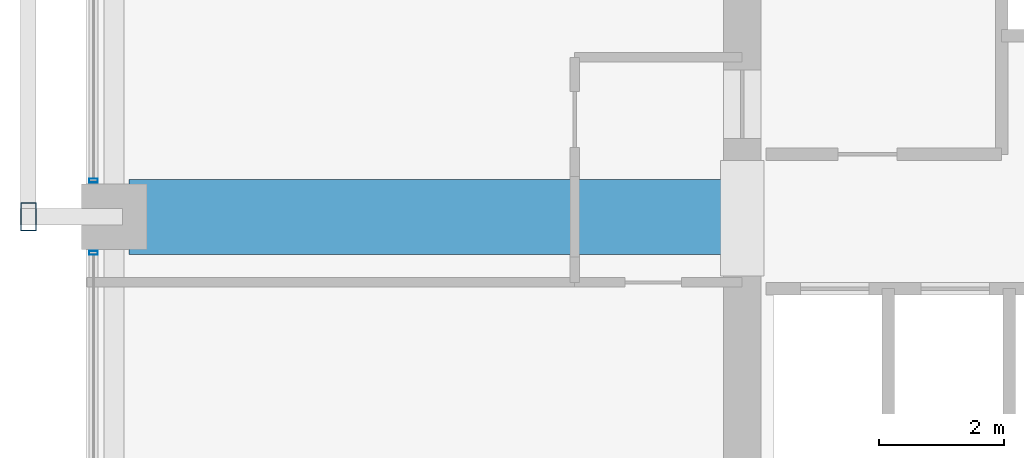
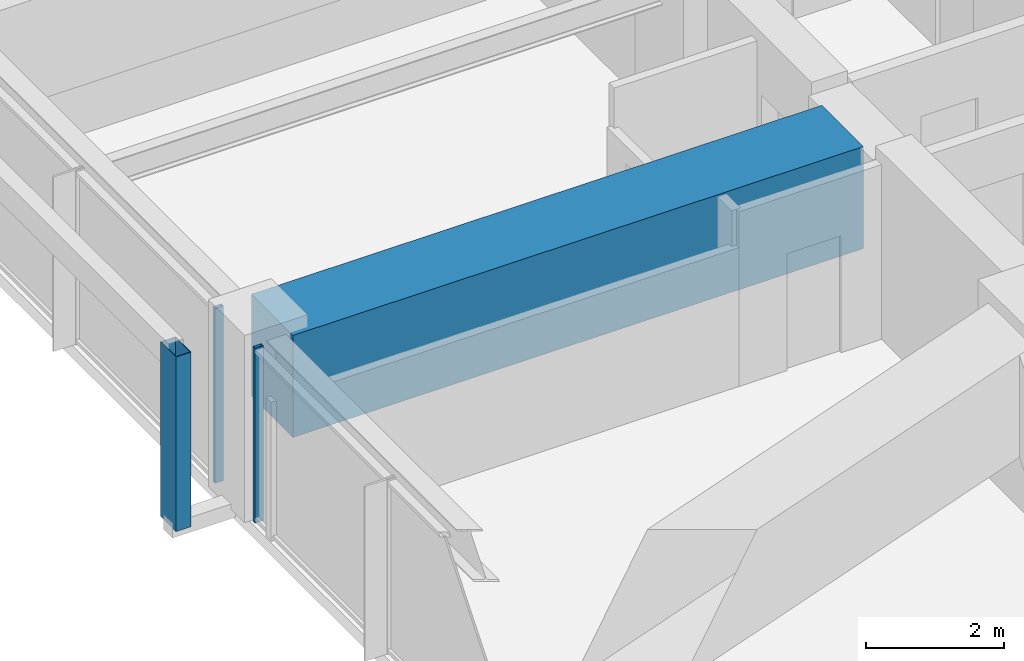
# One storey, part 8 of 39: 3 members, 1 beam, 2 elements without a shape of their own.
"""IFC4 building model written with IfcOpenShell, lengths in metres."""

import ifcopenshell
import ifcopenshell.guid

model = None  # the IFC model being written
_history = None  # IfcOwnerHistory: only IFC2X3 demands one
_inside = {}  # id of a spatial element -> (the spatial element, [elements in it])
_under = {}  # id of a project, library or spatial element -> (it, [spatial elements below it])
_declared = {}  # id of a project -> (the project, [libraries it declares])
_typed = {}  # id of a type object -> (the type object, [elements of that type])
_made_of = {}  # id of a material, layer set ... -> (it, [elements and type objects made of it])


def new_model(schema):
    """Start an empty IFC model of exactly this schema.

    Asked for "IFC4X3", IfcOpenShell would pick the latest addendum, in which some entities
    have other attributes; the version numbers below select the first issue.
    IFC2X3 requires an IfcOwnerHistory on every rooted entity: one is made here for all.
    """
    global model, _history
    if schema == "IFC4X3":
        model = ifcopenshell.file(schema_version=(4, 3, 0, 0))
    else:
        model = ifcopenshell.file(schema=schema)
    _inside.clear()
    _under.clear()
    _declared.clear()
    _typed.clear()
    _made_of.clear()
    _history = None
    if model.schema == "IFC2X3":
        org = make("IfcOrganization", Name="unknown")
        user = make(
            "IfcPersonAndOrganization",
            ThePerson=make("IfcPerson", FamilyName="unknown"),
            TheOrganization=org,
        )
        app = make(
            "IfcApplication",
            ApplicationDeveloper=org,
            Version="unknown",
            ApplicationFullName="unknown",
            ApplicationIdentifier="unknown",
        )
        _history = make(
            "IfcOwnerHistory",
            OwningUser=user,
            OwningApplication=app,
            ChangeAction="ADDED",
            CreationDate=0,
        )
    return model


def make(cls, **values):
    """One entity of the class cls with the attributes given. An attribute that is None is left unset."""
    return model.create_entity(
        cls, **{name: value for name, value in values.items() if value is not None}
    )


def rooted(cls, **values):
    """An entity with a GlobalId (a new one), such as an element, a storey or a relation."""
    return make(cls, GlobalId=ifcopenshell.guid.new(), OwnerHistory=_history, **values)


def si_unit(unit_type, name, prefix=None):
    """IfcSIUnit, for example si_unit("LENGTHUNIT", "METRE", prefix="MILLI")."""
    return make("IfcSIUnit", UnitType=unit_type, Prefix=prefix, Name=name)


def assignment(units):
    """IfcUnitAssignment: the units of a project."""
    return None if units is None else make("IfcUnitAssignment", Units=units)


def point(xyz):
    """IfcCartesianPoint."""
    return None if xyz is None else make("IfcCartesianPoint", Coordinates=xyz)


def direction(xyz):
    """IfcDirection."""
    return None if xyz is None else make("IfcDirection", DirectionRatios=xyz)


def frame(location, z_axis=None, x_axis=None):
    """IfcAxis2Placement3D, a coordinate frame: its origin and axes. An axis left out is left unset."""
    return make(
        "IfcAxis2Placement3D",
        Location=point(location),
        Axis=direction(z_axis),
        RefDirection=direction(x_axis),
    )


def frame_2d(location, x_axis=None):
    """IfcAxis2Placement2D, a coordinate frame in the plane: its origin and x axis."""
    return make(
        "IfcAxis2Placement2D", Location=point(location), RefDirection=direction(x_axis)
    )


def origin():
    """The frame at (0, 0, 0) with its axes left unset."""
    return frame((0.0, 0.0, 0.0))


def origin_2d():
    """The frame at (0, 0) in the plane with its x axis left unset."""
    return frame_2d((0.0, 0.0))


def place(relative_to, where):
    """IfcLocalPlacement: puts the frame where relative to a parent placement (None: the world)."""
    return make(
        "IfcLocalPlacement", PlacementRelTo=relative_to, RelativePlacement=where
    )


def context(
    kind, dimensions, precision=None, world=None, true_north=None, identifier=None
):
    """IfcGeometricRepresentationContext, for example the 3D "Model" context."""
    return make(
        "IfcGeometricRepresentationContext",
        ContextIdentifier=identifier,
        ContextType=kind,
        CoordinateSpaceDimension=dimensions,
        Precision=precision,
        WorldCoordinateSystem=world,
        TrueNorth=true_north,
    )


def subcontext(parent, identifier, kind, view, scale=None):
    """IfcGeometricRepresentationSubContext, for example "Body" below "Model"."""
    return make(
        "IfcGeometricRepresentationSubContext",
        ContextIdentifier=identifier,
        ContextType=kind,
        ParentContext=parent,
        TargetScale=scale,
        TargetView=view,
    )


def project(units=None, contexts=None):
    """IfcProject with its units and contexts."""
    return rooted(
        "IfcProject",
        Name="project",
        RepresentationContexts=contexts,
        UnitsInContext=assignment(units),
    )


def spatial(cls, under=None, at=None, **own):
    """A site, building, storey or space (cls), placed at a placement, below another one or the project."""
    s = rooted(cls, ObjectPlacement=at, **own)
    if under is not None:
        _under.setdefault(under.id(), (under, []))[1].append(s)
    return s


def profile(cls, at=None, kind="AREA", **sizes):
    """A parametric profile (cls). Its sizes go by their IFC names, for example OverallWidth=200.0."""
    return make(cls, ProfileType=kind, Position=at, **sizes)


def rectangle(**sizes):
    """IfcRectangleProfileDef."""
    return profile("IfcRectangleProfileDef", **sizes)


def hollow_rectangle(**sizes):
    """IfcRectangleHollowProfileDef."""
    return profile("IfcRectangleHollowProfileDef", **sizes)


def extrude(swept, where, along, depth):
    """IfcExtrudedAreaSolid: the profile swept, set in the frame where, extruded along a direction by depth."""
    return make(
        "IfcExtrudedAreaSolid",
        SweptArea=swept,
        Position=where,
        ExtrudedDirection=direction(along),
        Depth=depth,
    )


def shape(context_of_items, identifier, shape_type, items):
    """IfcShapeRepresentation: the items that make up one representation, for example the "Body"."""
    return make(
        "IfcShapeRepresentation",
        ContextOfItems=context_of_items,
        RepresentationIdentifier=identifier,
        RepresentationType=shape_type,
        Items=items,
    )


def material(Name=None, Category=None):
    """IfcMaterial."""
    return make("IfcMaterial", Name=Name, Category=Category)


def material_profile(
    of_material, cross_section, Name=None, Category=None, Priority=None
):
    """IfcMaterialProfile: a cross section and its material."""
    return make(
        "IfcMaterialProfile",
        Name=Name,
        Material=of_material,
        Profile=cross_section,
        Priority=Priority,
        Category=Category,
    )


def profile_set(profiles, Name=None, composite=None):
    """IfcMaterialProfileSet."""
    return make(
        "IfcMaterialProfileSet",
        Name=Name,
        MaterialProfiles=profiles,
        CompositeProfile=composite,
    )


def made_of(thing, what):
    """Note that an element or type object is made of a material, layer set ...; save() writes the relation."""
    if what is not None:
        _made_of.setdefault(what.id(), (what, []))[1].append(thing)
    return thing


def type_object(cls, material=None, **own):
    """A type object (cls), such as IfcWallType, which elements share."""
    return made_of(rooted(cls, **own), material)


def element(
    cls,
    number,
    at=None,
    inside=None,
    cuts=None,
    type_object=None,
    material=None,
    context=None,
    identifier="Body",
    shape_type=None,
    held_by="IfcProductDefinitionShape",
    body=None,
    shapes=None,
    **own,
):
    """One element of the class cls, such as IfcWall. Its Tag is "e" and its number.

    at: its placement. inside: the storey or other place that contains it. cuts: it is an
    opening in that element (IfcRelVoidsElement). A single representation is given by context,
    identifier, shape_type and body (its items); several are given by shapes. held_by: the class
    of the entity that holds the representations. save() writes the other relations.
    """
    e = rooted(cls, Tag="e%d" % number, ObjectPlacement=at, **own)
    if body is not None:
        shapes = [shape(context, identifier, shape_type, body)]
    if shapes is not None:
        e.Representation = make(held_by, Representations=shapes)
    if inside is not None:
        _inside.setdefault(inside.id(), (inside, []))[1].append(e)
    if cuts is not None:
        rooted(
            "IfcRelVoidsElement", RelatingBuildingElement=cuts, RelatedOpeningElement=e
        )
    if type_object is not None:
        _typed.setdefault(type_object.id(), (type_object, []))[1].append(e)
    return made_of(e, material)


def aggregate(whole, parts):
    """IfcRelAggregates: a whole, such as a stair, and the parts it consists of."""
    return rooted("IfcRelAggregates", RelatingObject=whole, RelatedObjects=parts)


def save(model, path):
    """Write the relations noted so far, then the file.

    IfcRelAggregates (storeys below a building ...), IfcRelContainedInSpatialStructure (elements
    in a storey), IfcRelDefinesByType, IfcRelAssociatesMaterial and IfcRelDeclares: one each for
    every whole, place, type object, material and project.
    """
    for whole, parts in _under.values():
        aggregate(whole, parts)
    for where, things in _inside.values():
        rooted(
            "IfcRelContainedInSpatialStructure",
            RelatedElements=things,
            RelatingStructure=where,
        )
    for kind, things in _typed.values():
        rooted("IfcRelDefinesByType", RelatedObjects=things, RelatingType=kind)
    for what, things in _made_of.values():
        rooted("IfcRelAssociatesMaterial", RelatedObjects=things, RelatingMaterial=what)
    for by, libraries in _declared.values():
        rooted("IfcRelDeclares", RelatingContext=by, RelatedDefinitions=libraries)
    model.write(path)


model = new_model("IFC4")

# Units and contexts
model_context = context("Model", 3, precision=1e-05, world=origin(), true_north=direction((0.0, 1.0)))
body_context = subcontext(model_context, "Body", "Model", "MODEL_VIEW")
ifc_project = project(units=[si_unit("LENGTHUNIT", "METRE"), si_unit("AREAUNIT", "SQUARE_METRE"), si_unit("VOLUMEUNIT", "CUBIC_METRE"), si_unit("PLANEANGLEUNIT", "RADIAN"), si_unit("MASSUNIT", "GRAM", prefix="KILO")], contexts=[model_context])

# Site, building, storey
site_placement = place(None, origin())
site = spatial("IfcSite", under=ifc_project, at=site_placement, CompositionType="ELEMENT")
building_placement = place(site_placement, origin())
building = spatial("IfcBuilding", under=site, at=building_placement, Name="Kolvaren Belvedere", CompositionType="ELEMENT")
storey_placement = place(building_placement, frame((0.0, 0.0, 85.39990234375)))
storey = spatial("IfcBuildingStorey", under=building, at=storey_placement, Name="L24", CompositionType="ELEMENT", Elevation=85.39990234375)

# Beam
ifc_material_1 = material(Name="Concrete C50/60", Category="concrete")
ifc_material_profile_1 = material_profile(ifc_material_1, rectangle(XDim=1.199951171875, YDim=1.800048828125, at=origin_2d()), Name="RC 1200X1800")
ifc_profile_set_1 = profile_set([ifc_material_profile_1], Name="Concrete C50/60")
beam_type = type_object("IfcBeamType", Name="BM-TG-1800", PredefinedType="BEAM", material=ifc_profile_set_1)
beam_placement = place(storey_placement, frame((-10.199951171875, -4.60009765625, 2.18017578125), z_axis=(-1.0, 0.0, 0.0), x_axis=(0.0, -1.0, 0.0)))
element("IfcBeam", 1, at=beam_placement, inside=storey, type_object=beam_type, Name="L24 West Radial Girder M", PredefinedType="BEAM", context=body_context, shape_type="SweptSolid", body=[
    extrude(rectangle(XDim=1.199951171875, YDim=1.800048828125, at=origin_2d()), origin(), (0.0, 0.0, 1.0), 9.513916015625),
])

# Curtain wall, member
ifc_material_2 = material(Name="Anodised pale-metal aluminium AA 6063-T6", Category="aluminium")
curtain_wall_type = type_object("IfcCurtainWallType", Name="CW-Z2-MID", PredefinedType="NOTDEFINED", material=ifc_material_2)
curtain_wall_1_placement = place(storey_placement, origin())
curtain_wall_1 = element("IfcCurtainWall", 2, at=curtain_wall_1_placement, inside=storey, type_object=curtain_wall_type, Name="L24 Unitised Curtain Wall FCW-L24-W-B1", PredefinedType="NOTDEFINED")
ifc_material_3 = material(Name="Anodised pale-metal aluminium AA 6063-T6", Category="aluminium")
ifc_material_profile_2 = material_profile(ifc_material_3, hollow_rectangle(XDim=0.06494140625, YDim=0.139892578125, WallThickness=0.00390625, at=origin_2d()), Name="ALU-MUL-140X65")
ifc_profile_set_2 = profile_set([ifc_material_profile_2], Name="Anodised pale-metal aluminium AA 6063-T6")
member_type_1 = type_object("IfcMemberType", Name="CW-MUL-140", PredefinedType="MULLION", material=ifc_profile_set_2)
member_1_placement = place(storey_placement, frame((-20.280029296875, -5.177490234375, 0.0), z_axis=(0.0, 0.0, 1.0), x_axis=(0.0, 1.0, 0.0)))
member_1 = element("IfcMember", 3, at=member_1_placement, type_object=member_type_1, Name="FCW-L24-W-B1 Unitised Mullion 3", PredefinedType="MULLION", context=body_context, shape_type="SweptSolid", body=[
    extrude(hollow_rectangle(XDim=0.06494140625, YDim=0.139892578125, WallThickness=0.00390625, at=origin_2d()), origin(), (0.0, 0.0, 1.0), 3.080078125),
])
aggregate(curtain_wall_1, [member_1])

curtain_wall_2_placement = place(storey_placement, origin())
curtain_wall_2 = element("IfcCurtainWall", 4, at=curtain_wall_2_placement, inside=storey, type_object=curtain_wall_type, Name="L24 Unitised Curtain Wall FCW-L24-W-B2", PredefinedType="NOTDEFINED")
member_2_placement = place(storey_placement, frame((-20.280029296875, -4.0224609375, 0.0), z_axis=(0.0, 0.0, 1.0), x_axis=(0.0, 1.0, 0.0)))
member_2 = element("IfcMember", 5, at=member_2_placement, type_object=member_type_1, Name="FCW-L24-W-B2 Unitised Mullion 1", PredefinedType="MULLION", context=body_context, shape_type="SweptSolid", body=[
    extrude(hollow_rectangle(XDim=0.06494140625, YDim=0.139892578125, WallThickness=0.00390625, at=origin_2d()), origin(), (0.0, 0.0, 1.0), 3.080078125),
])
aggregate(curtain_wall_2, [member_2])

# Member
ifc_material_4 = material(Name="Anodised pale-metal aluminium AA 6063-T6", Category="aluminium")
ifc_material_profile_3 = material_profile(ifc_material_4, hollow_rectangle(XDim=0.25, YDim=0.449951171875, WallThickness=0.008544921875, at=origin_2d()), Name="ALU-PF-450X250")
ifc_profile_set_3 = profile_set([ifc_material_profile_3], Name="Anodised pale-metal aluminium AA 6063-T6")
member_type_2 = type_object("IfcMemberType", Name="PF-FRAME-450", PredefinedType="USERDEFINED", material=ifc_profile_set_3)
member_3_placement = place(storey_placement, frame((-21.320068359375, -4.60009765625, 0.0), z_axis=(0.0, 0.0, 1.0), x_axis=(1.0, 0.0, 0.0)))
element("IfcMember", 6, at=member_3_placement, inside=storey, type_object=member_type_2, Name="L24 Outboard Picture-Frame Vertical W1", ObjectType="PICTURE FRAME FIN", PredefinedType="USERDEFINED", context=body_context, shape_type="SweptSolid", body=[
    extrude(hollow_rectangle(XDim=0.25, YDim=0.449951171875, WallThickness=0.008544921875, at=origin_2d()), origin(), (0.0, 0.0, 1.0), 3.080078125),
])

save(model, "model.ifc")
